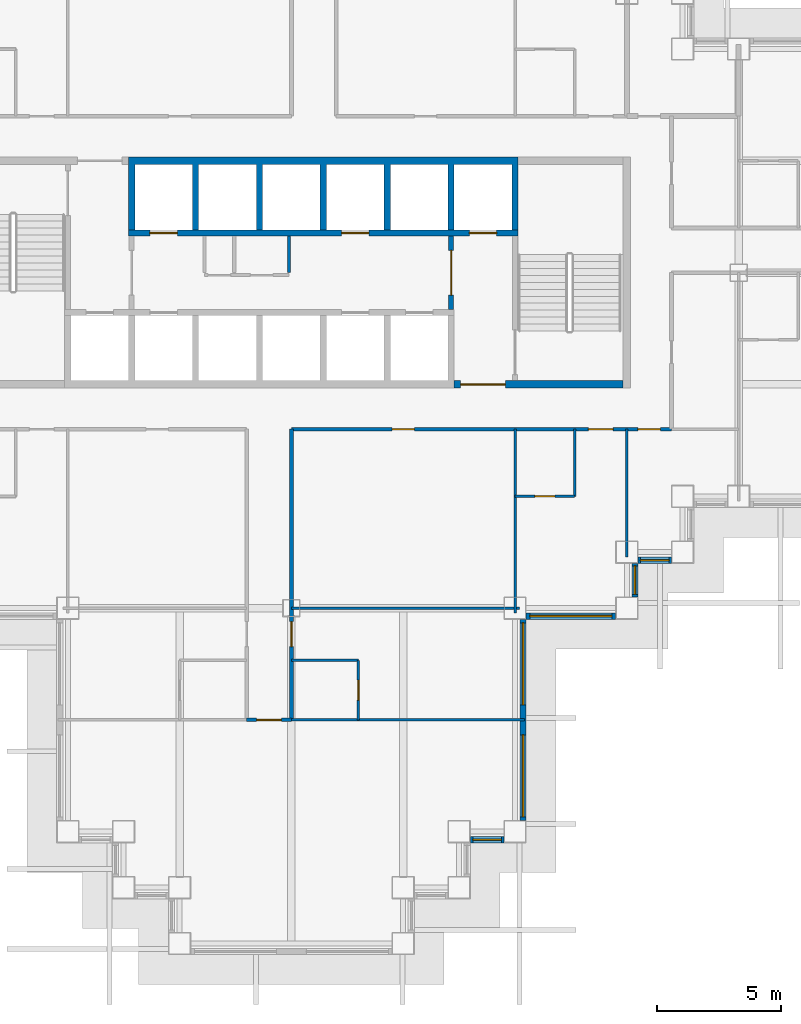
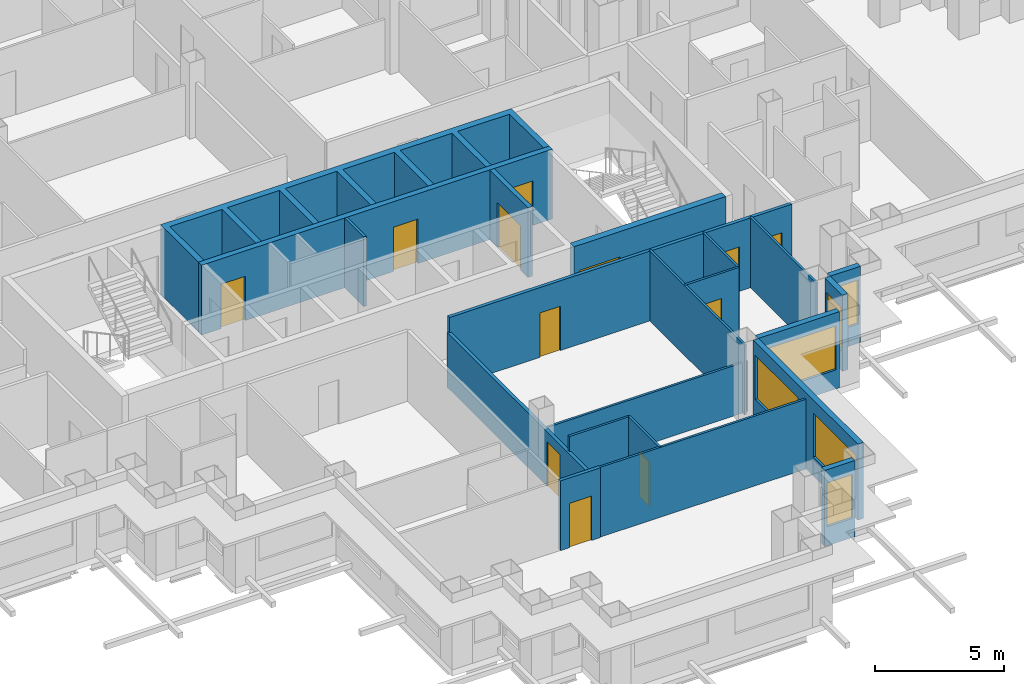
# One storey, part 5 of 15: 21 walls, 12 doors, 6 windows, 18 openings.
"""IFC4 building model written with IfcOpenShell, lengths in metres."""

import ifcopenshell
import ifcopenshell.guid

model = None  # the IFC model being written
_history = None  # IfcOwnerHistory: only IFC2X3 demands one
_inside = {}  # id of a spatial element -> (the spatial element, [elements in it])
_under = {}  # id of a project, library or spatial element -> (it, [spatial elements below it])
_declared = {}  # id of a project -> (the project, [libraries it declares])
_typed = {}  # id of a type object -> (the type object, [elements of that type])
_made_of = {}  # id of a material, layer set ... -> (it, [elements and type objects made of it])


def new_model(schema):
    """Start an empty IFC model of exactly this schema.

    Asked for "IFC4X3", IfcOpenShell would pick the latest addendum, in which some entities
    have other attributes; the version numbers below select the first issue.
    IFC2X3 requires an IfcOwnerHistory on every rooted entity: one is made here for all.
    """
    global model, _history
    if schema == "IFC4X3":
        model = ifcopenshell.file(schema_version=(4, 3, 0, 0))
    else:
        model = ifcopenshell.file(schema=schema)
    _inside.clear()
    _under.clear()
    _declared.clear()
    _typed.clear()
    _made_of.clear()
    _history = None
    if model.schema == "IFC2X3":
        org = make("IfcOrganization", Name="unknown")
        user = make(
            "IfcPersonAndOrganization",
            ThePerson=make("IfcPerson", FamilyName="unknown"),
            TheOrganization=org,
        )
        app = make(
            "IfcApplication",
            ApplicationDeveloper=org,
            Version="unknown",
            ApplicationFullName="unknown",
            ApplicationIdentifier="unknown",
        )
        _history = make(
            "IfcOwnerHistory",
            OwningUser=user,
            OwningApplication=app,
            ChangeAction="ADDED",
            CreationDate=0,
        )
    return model


def make(cls, **values):
    """One entity of the class cls with the attributes given. An attribute that is None is left unset."""
    return model.create_entity(
        cls, **{name: value for name, value in values.items() if value is not None}
    )


def rooted(cls, **values):
    """An entity with a GlobalId (a new one), such as an element, a storey or a relation."""
    return make(cls, GlobalId=ifcopenshell.guid.new(), OwnerHistory=_history, **values)


def si_unit(unit_type, name, prefix=None):
    """IfcSIUnit, for example si_unit("LENGTHUNIT", "METRE", prefix="MILLI")."""
    return make("IfcSIUnit", UnitType=unit_type, Prefix=prefix, Name=name)


def assignment(units):
    """IfcUnitAssignment: the units of a project."""
    return None if units is None else make("IfcUnitAssignment", Units=units)


def point(xyz):
    """IfcCartesianPoint."""
    return None if xyz is None else make("IfcCartesianPoint", Coordinates=xyz)


def direction(xyz):
    """IfcDirection."""
    return None if xyz is None else make("IfcDirection", DirectionRatios=xyz)


def frame(location, z_axis=None, x_axis=None):
    """IfcAxis2Placement3D, a coordinate frame: its origin and axes. An axis left out is left unset."""
    return make(
        "IfcAxis2Placement3D",
        Location=point(location),
        Axis=direction(z_axis),
        RefDirection=direction(x_axis),
    )


def frame_2d(location, x_axis=None):
    """IfcAxis2Placement2D, a coordinate frame in the plane: its origin and x axis."""
    return make(
        "IfcAxis2Placement2D", Location=point(location), RefDirection=direction(x_axis)
    )


def origin():
    """The frame at (0, 0, 0) with its axes left unset."""
    return frame((0.0, 0.0, 0.0))


def place(relative_to, where):
    """IfcLocalPlacement: puts the frame where relative to a parent placement (None: the world)."""
    return make(
        "IfcLocalPlacement", PlacementRelTo=relative_to, RelativePlacement=where
    )


def context(
    kind, dimensions, precision=None, world=None, true_north=None, identifier=None
):
    """IfcGeometricRepresentationContext, for example the 3D "Model" context."""
    return make(
        "IfcGeometricRepresentationContext",
        ContextIdentifier=identifier,
        ContextType=kind,
        CoordinateSpaceDimension=dimensions,
        Precision=precision,
        WorldCoordinateSystem=world,
        TrueNorth=true_north,
    )


def subcontext(parent, identifier, kind, view, scale=None):
    """IfcGeometricRepresentationSubContext, for example "Body" below "Model"."""
    return make(
        "IfcGeometricRepresentationSubContext",
        ContextIdentifier=identifier,
        ContextType=kind,
        ParentContext=parent,
        TargetScale=scale,
        TargetView=view,
    )


def project(units=None, contexts=None):
    """IfcProject with its units and contexts."""
    return rooted(
        "IfcProject",
        Name="project",
        RepresentationContexts=contexts,
        UnitsInContext=assignment(units),
    )


def spatial(cls, under=None, at=None, **own):
    """A site, building, storey or space (cls), placed at a placement, below another one or the project."""
    s = rooted(cls, ObjectPlacement=at, **own)
    if under is not None:
        _under.setdefault(under.id(), (under, []))[1].append(s)
    return s


def polyline(points):
    """IfcPolyline through the points."""
    return make("IfcPolyline", Points=[point(p) for p in points])


def profile(cls, at=None, kind="AREA", **sizes):
    """A parametric profile (cls). Its sizes go by their IFC names, for example OverallWidth=200.0."""
    return make(cls, ProfileType=kind, Position=at, **sizes)


def rectangle(**sizes):
    """IfcRectangleProfileDef."""
    return profile("IfcRectangleProfileDef", **sizes)


def outline(outer, holes=None, kind="AREA"):
    """IfcArbitraryClosedProfileDef: a profile drawn as a closed curve; with holes, ...WithVoids."""
    if holes is None:
        return make("IfcArbitraryClosedProfileDef", ProfileType=kind, OuterCurve=outer)
    return make(
        "IfcArbitraryProfileDefWithVoids",
        ProfileType=kind,
        OuterCurve=outer,
        InnerCurves=holes,
    )


def extrude(swept, where, along, depth):
    """IfcExtrudedAreaSolid: the profile swept, set in the frame where, extruded along a direction by depth."""
    return make(
        "IfcExtrudedAreaSolid",
        SweptArea=swept,
        Position=where,
        ExtrudedDirection=direction(along),
        Depth=depth,
    )


def shape(context_of_items, identifier, shape_type, items):
    """IfcShapeRepresentation: the items that make up one representation, for example the "Body"."""
    return make(
        "IfcShapeRepresentation",
        ContextOfItems=context_of_items,
        RepresentationIdentifier=identifier,
        RepresentationType=shape_type,
        Items=items,
    )


def material(Name=None, Category=None):
    """IfcMaterial."""
    return make("IfcMaterial", Name=Name, Category=Category)


def layer(
    of_material, thickness, ventilated=None, Name=None, Category=None, Priority=None
):
    """IfcMaterialLayer: one layer of a wall or slab, of a material (None: an air gap)."""
    return make(
        "IfcMaterialLayer",
        Material=of_material,
        LayerThickness=thickness,
        IsVentilated=ventilated,
        Name=Name,
        Category=Category,
        Priority=Priority,
    )


def layer_set(layers, Name=None):
    """IfcMaterialLayerSet."""
    return make("IfcMaterialLayerSet", MaterialLayers=layers, LayerSetName=Name)


def made_of(thing, what):
    """Note that an element or type object is made of a material, layer set ...; save() writes the relation."""
    if what is not None:
        _made_of.setdefault(what.id(), (what, []))[1].append(thing)
    return thing


def type_object(cls, material=None, **own):
    """A type object (cls), such as IfcWallType, which elements share."""
    return made_of(rooted(cls, **own), material)


def element(
    cls,
    number,
    at=None,
    inside=None,
    cuts=None,
    type_object=None,
    material=None,
    context=None,
    identifier="Body",
    shape_type=None,
    held_by="IfcProductDefinitionShape",
    body=None,
    shapes=None,
    **own,
):
    """One element of the class cls, such as IfcWall. Its Tag is "e" and its number.

    at: its placement. inside: the storey or other place that contains it. cuts: it is an
    opening in that element (IfcRelVoidsElement). A single representation is given by context,
    identifier, shape_type and body (its items); several are given by shapes. held_by: the class
    of the entity that holds the representations. save() writes the other relations.
    """
    e = rooted(cls, Tag="e%d" % number, ObjectPlacement=at, **own)
    if body is not None:
        shapes = [shape(context, identifier, shape_type, body)]
    if shapes is not None:
        e.Representation = make(held_by, Representations=shapes)
    if inside is not None:
        _inside.setdefault(inside.id(), (inside, []))[1].append(e)
    if cuts is not None:
        rooted(
            "IfcRelVoidsElement", RelatingBuildingElement=cuts, RelatedOpeningElement=e
        )
    if type_object is not None:
        _typed.setdefault(type_object.id(), (type_object, []))[1].append(e)
    return made_of(e, material)


def fill(opening, filler):
    """IfcRelFillsElement: the door or window that sits in an opening."""
    return rooted(
        "IfcRelFillsElement",
        RelatingOpeningElement=opening,
        RelatedBuildingElement=filler,
    )


def aggregate(whole, parts):
    """IfcRelAggregates: a whole, such as a stair, and the parts it consists of."""
    return rooted("IfcRelAggregates", RelatingObject=whole, RelatedObjects=parts)


def save(model, path):
    """Write the relations noted so far, then the file.

    IfcRelAggregates (storeys below a building ...), IfcRelContainedInSpatialStructure (elements
    in a storey), IfcRelDefinesByType, IfcRelAssociatesMaterial and IfcRelDeclares: one each for
    every whole, place, type object, material and project.
    """
    for whole, parts in _under.values():
        aggregate(whole, parts)
    for where, things in _inside.values():
        rooted(
            "IfcRelContainedInSpatialStructure",
            RelatedElements=things,
            RelatingStructure=where,
        )
    for kind, things in _typed.values():
        rooted("IfcRelDefinesByType", RelatedObjects=things, RelatingType=kind)
    for what, things in _made_of.values():
        rooted("IfcRelAssociatesMaterial", RelatedObjects=things, RelatingMaterial=what)
    for by, libraries in _declared.values():
        rooted("IfcRelDeclares", RelatingContext=by, RelatedDefinitions=libraries)
    model.write(path)


model = new_model("IFC4")

# Units and contexts
model_context = context("Model", 3, precision=1e-05, world=origin(), true_north=direction((0.0, 1.0)))
body_context = subcontext(model_context, "Body", "Model", "MODEL_VIEW")
ifc_project = project(units=[si_unit("LENGTHUNIT", "METRE"), si_unit("AREAUNIT", "SQUARE_METRE"), si_unit("VOLUMEUNIT", "CUBIC_METRE"), si_unit("PLANEANGLEUNIT", "RADIAN"), si_unit("MASSUNIT", "GRAM", prefix="KILO")], contexts=[model_context])

# Site, building, storey
site_placement = place(None, origin())
site = spatial("IfcSite", under=ifc_project, at=site_placement, CompositionType="ELEMENT")
building_placement = place(site_placement, origin())
building = spatial("IfcBuilding", under=site, at=building_placement, Name="Caravel Reach Hotel and Residences", CompositionType="ELEMENT")
storey_placement = place(building_placement, frame((0.0, 0.0, 111.60009765625)))
storey = spatial("IfcBuildingStorey", under=building, at=storey_placement, Name="L27", CompositionType="ELEMENT", Elevation=111.60009765625)

# Wall
ifc_material_1 = material(Name="Gypsum board on steel stud", Category="steel")
ifc_layer_1 = layer(ifc_material_1, 0.10009765625)
ifc_layer_set_1 = layer_set([ifc_layer_1], Name="Bathroom pod wall 100 mm")
wall_type_1 = type_object("IfcWallType", Name="Bathroom pod wall 100 mm", PredefinedType="PARTITIONING", material=ifc_layer_set_1)
wall_1_placement = place(storey_placement, frame((31.5, 11.39990234375, 0.0), z_axis=(0.0, 0.0, 1.0), x_axis=(1.0, 0.0, 0.0)))
element("IfcWall", 1, at=wall_1_placement, inside=storey, type_object=wall_type_1, Name="L27 wall w067", PredefinedType="PARTITIONING", context=body_context, shape_type="SweptSolid", body=[
    extrude(rectangle(XDim=2.699951171875, YDim=0.10009765625, at=frame_2d((1.35009765625, 0.0))), origin(), (0.0, 0.0, 1.0), 3.2998046875),
])

# Wall, opening, door
wall_2_placement = place(storey_placement, frame((40.5, 18.0, 0.0), z_axis=(0.0, 0.0, 1.0), x_axis=(1.0, 0.0, 0.0)))
wall_2 = element("IfcWall", 2, at=wall_2_placement, inside=storey, type_object=wall_type_1, Name="L27 wall w070", PredefinedType="PARTITIONING", context=body_context, shape_type="SweptSolid", body=[
    extrude(rectangle(XDim=2.39990234375, YDim=0.10009765625, at=frame_2d((1.199951171875, 0.0))), origin(), (0.0, 0.0, 1.0), 3.2998046875),
])
opening_1_placement = place(wall_2_placement, frame((0.800048828125, 0.0, 0.0)))
opening_1 = element("IfcOpeningElement", 3, at=opening_1_placement, cuts=wall_2, Name="Opening D27-048", PredefinedType="OPENING", context=body_context, shape_type="SweptSolid", body=[
    extrude(rectangle(XDim=0.800048828125, YDim=2.10009765625, at=frame_2d((0.39990234375, 1.050048828125))), frame((0.0, 0.06005859375, 0.0), z_axis=(0.0, -1.0, 0.0), x_axis=(1.0, 0.0, 0.0)), (0.0, 0.0, 1.0), 0.1201171875),
])
ifc_material_2 = material(Name="Timber and steel door leaf", Category="steel")
door_type_1 = type_object("IfcDoorType", Name="Bathroom door 800 x 2100", OperationType="SINGLE_SWING_LEFT", PredefinedType="DOOR", material=ifc_material_2)
door_1_placement = place(opening_1_placement, origin())
door_1 = element("IfcDoor", 4, at=door_1_placement, inside=storey, type_object=door_type_1, Name="door D27-048", OperationType="SINGLE_SWING_LEFT", OverallHeight=2.10009765625, OverallWidth=0.800048828125, PredefinedType="DOOR", context=body_context, shape_type="SweptSolid", body=[
    extrude(rectangle(XDim=0.800048828125, YDim=2.10009765625, at=frame_2d((0.39990234375, 1.050048828125))), frame((0.0, 0.02490234375, 0.0), z_axis=(0.0, -1.0, 0.0), x_axis=(1.0, 0.0, 0.0)), (0.0, 0.0, 1.0), 0.050048828125),
])
fill(opening_1, door_1)

wall_3_placement = place(storey_placement, frame((34.199951171875, 9.0, 0.0), z_axis=(0.0, 0.0, 1.0), x_axis=(0.0, 1.0, 0.0)))
wall_3 = element("IfcWall", 5, at=wall_3_placement, inside=storey, type_object=wall_type_1, Name="L27 wall w087", PredefinedType="PARTITIONING", context=body_context, shape_type="SweptSolid", body=[
    extrude(rectangle(XDim=2.39990234375, YDim=0.10009765625, at=frame_2d((1.199951171875, 0.0))), origin(), (0.0, 0.0, 1.0), 3.2998046875),
])
opening_2_placement = place(wall_3_placement, frame((0.800048828125, 0.0, 0.0)))
opening_2 = element("IfcOpeningElement", 6, at=opening_2_placement, cuts=wall_3, Name="Opening D27-034", PredefinedType="OPENING", context=body_context, shape_type="SweptSolid", body=[
    extrude(rectangle(XDim=0.800048828125, YDim=2.10009765625, at=frame_2d((0.39990234375, 1.050048828125))), frame((0.0, 0.06005859375, 0.0), z_axis=(0.0, -1.0, 0.0), x_axis=(1.0, 0.0, 0.0)), (0.0, 0.0, 1.0), 0.1201171875),
])
door_2_placement = place(opening_2_placement, origin())
door_2 = element("IfcDoor", 7, at=door_2_placement, inside=storey, type_object=door_type_1, Name="door D27-034", OperationType="SINGLE_SWING_RIGHT", OverallHeight=2.10009765625, OverallWidth=0.800048828125, PredefinedType="DOOR", context=body_context, shape_type="SweptSolid", body=[
    extrude(rectangle(XDim=0.800048828125, YDim=2.10009765625, at=frame_2d((0.39990234375, 1.050048828125))), frame((0.0, 0.02490234375, 0.0), z_axis=(0.0, -1.0, 0.0), x_axis=(1.0, 0.0, 0.0)), (0.0, 0.0, 1.0), 0.050048828125),
])
fill(opening_2, door_2)

# Wall
wall_4_placement = place(storey_placement, frame((42.89990234375, 18.0, 0.0), z_axis=(0.0, 0.0, 1.0), x_axis=(0.0, 1.0, 0.0)))
element("IfcWall", 8, at=wall_4_placement, inside=storey, type_object=wall_type_1, Name="L27 wall w091", PredefinedType="PARTITIONING", context=body_context, shape_type="SweptSolid", body=[
    extrude(rectangle(XDim=2.699951171875, YDim=0.10009765625, at=frame_2d((1.35009765625, 0.0))), origin(), (0.0, 0.0, 1.0), 3.2998046875),
])

# Wall, opening, door
ifc_material_3 = material(Name="Concrete C60", Category="concrete")
ifc_layer_2 = layer(ifc_material_3, 0.300048828125)
ifc_layer_set_2 = layer_set([ifc_layer_2], Name="Core wall 300 mm EI 120")
wall_type_2 = type_object("IfcWallType", Name="Core wall 300 mm EI 120", PredefinedType="SHEAR", material=ifc_layer_set_2)
wall_5_placement = place(storey_placement, frame((38.053466796875, 22.5, 0.0), z_axis=(0.0, 0.0, 1.0), x_axis=(1.0, 0.0, 0.0)))
wall_5 = element("IfcWall", 9, at=wall_5_placement, inside=storey, type_object=wall_type_2, Name="L27 core wall S2", PredefinedType="SHEAR", context=body_context, shape_type="SweptSolid", body=[
    extrude(rectangle(XDim=6.796630859375, YDim=0.300048828125, at=frame_2d((3.3984375, 0.0))), origin(), (0.0, 0.0, 1.0), 3.2998046875),
])
opening_3_placement = place(wall_5_placement, frame((0.2607421875, 0.0, 0.0)))
opening_3 = element("IfcOpeningElement", 10, at=opening_3_placement, cuts=wall_5, Name="Opening D27-015", PredefinedType="OPENING", context=body_context, shape_type="SweptSolid", body=[
    extrude(rectangle(XDim=1.800048828125, YDim=2.10009765625, at=frame_2d((0.89990234375, 1.050048828125))), frame((0.0, 0.159912109375, 0.0), z_axis=(0.0, -1.0, 0.0), x_axis=(1.0, 0.0, 0.0)), (0.0, 0.0, 1.0), 0.320068359375),
])
ifc_material_4 = material(Name="Steel fire door leaf", Category="steel")
door_type_2 = type_object("IfcDoorType", Name="Fire lobby door pair 1800 x 2100 EI 90", OperationType="DOUBLE_DOOR_SINGLE_SWING", PredefinedType="DOOR", material=ifc_material_4)
door_3_placement = place(opening_3_placement, origin())
door_3 = element("IfcDoor", 11, at=door_3_placement, inside=storey, type_object=door_type_2, Name="lobby S door pair to corridor", OperationType="DOUBLE_DOOR_SINGLE_SWING", OverallHeight=2.10009765625, OverallWidth=1.800048828125, PredefinedType="DOOR", context=body_context, shape_type="SweptSolid", body=[
    extrude(rectangle(XDim=1.800048828125, YDim=2.10009765625, at=frame_2d((0.89990234375, 1.050048828125))), frame((0.0, 0.02490234375, 0.0), z_axis=(0.0, -1.0, 0.0), x_axis=(1.0, 0.0, 0.0)), (0.0, 0.0, 1.0), 0.050048828125),
])
fill(opening_3, door_3)

# Wall, openings, doors
ifc_material_5 = material(Name="Gypsum board on steel stud, fire-rated", Category="steel")
ifc_layer_3 = layer(ifc_material_5, 0.14990234375)
ifc_layer_set_3 = layer_set([ifc_layer_3], Name="Corridor wall 150 mm EI 60")
wall_type_3 = type_object("IfcWallType", Name="Corridor wall 150 mm EI 60", PredefinedType="PARTITIONING", material=ifc_layer_set_3)
wall_6_placement = place(storey_placement, frame((31.5, 20.699951171875, 0.0), z_axis=(0.0, 0.0, 1.0), x_axis=(1.0, 0.0, 0.0)))
wall_6 = element("IfcWall", 12, at=wall_6_placement, inside=storey, type_object=wall_type_3, Name="L27 wall w004", PredefinedType="PARTITIONING", context=body_context, shape_type="SweptSolid", body=[
    extrude(rectangle(XDim=15.300048828125, YDim=0.14990234375, at=frame_2d((7.64990234375, 0.0))), origin(), (0.0, 0.0, 1.0), 3.2998046875),
])
opening_4_placement = place(wall_6_placement, frame((11.949951171875, 0.0, 0.0)))
opening_4 = element("IfcOpeningElement", 13, at=opening_4_placement, cuts=wall_6, Name="Opening D27-047", PredefinedType="OPENING", context=body_context, shape_type="SweptSolid", body=[
    extrude(rectangle(XDim=1.0, YDim=2.10009765625, at=frame_2d((0.5, 1.050048828125))), frame((0.0, 0.0849609375, 0.0), z_axis=(0.0, -1.0, 0.0), x_axis=(1.0, 0.0, 0.0)), (0.0, 0.0, 1.0), 0.169921875),
])
opening_5_placement = place(wall_6_placement, frame((13.949951171875, 0.0, 0.0)))
opening_5 = element("IfcOpeningElement", 14, at=opening_5_placement, cuts=wall_6, Name="Opening D27-049", PredefinedType="OPENING", context=body_context, shape_type="SweptSolid", body=[
    extrude(rectangle(XDim=0.89990234375, YDim=2.10009765625, at=frame_2d((0.449951171875, 1.050048828125))), frame((0.0, 0.0849609375, 0.0), z_axis=(0.0, -1.0, 0.0), x_axis=(1.0, 0.0, 0.0)), (0.0, 0.0, 1.0), 0.169921875),
])
opening_6_placement = place(wall_6_placement, frame((4.050048828125, 0.0, 0.0)))
opening_6 = element("IfcOpeningElement", 15, at=opening_6_placement, cuts=wall_6, Name="Opening D27-053", PredefinedType="OPENING", context=body_context, shape_type="SweptSolid", body=[
    extrude(rectangle(XDim=0.89990234375, YDim=2.10009765625, at=frame_2d((0.449951171875, 1.050048828125))), frame((0.0, 0.0849609375, 0.0), z_axis=(0.0, -1.0, 0.0), x_axis=(1.0, 0.0, 0.0)), (0.0, 0.0, 1.0), 0.169921875),
])
ifc_material_6 = material(Name="Timber and steel door leaf", Category="steel")
door_type_3 = type_object("IfcDoorType", Name="Door 900 x 2100 timber", OperationType="SINGLE_SWING_LEFT", PredefinedType="DOOR", material=ifc_material_6)
door_4_placement = place(opening_5_placement, origin())
door_4 = element("IfcDoor", 16, at=door_4_placement, inside=storey, type_object=door_type_3, Name="door D27-049", OperationType="SINGLE_SWING_RIGHT", OverallHeight=2.10009765625, OverallWidth=0.89990234375, PredefinedType="DOOR", context=body_context, shape_type="SweptSolid", body=[
    extrude(rectangle(XDim=0.89990234375, YDim=2.10009765625, at=frame_2d((0.449951171875, 1.050048828125))), frame((0.0, 0.02490234375, 0.0), z_axis=(0.0, -1.0, 0.0), x_axis=(1.0, 0.0, 0.0)), (0.0, 0.0, 1.0), 0.050048828125),
])
fill(opening_5, door_4)
door_5_placement = place(opening_6_placement, origin())
door_5 = element("IfcDoor", 17, at=door_5_placement, inside=storey, type_object=door_type_3, Name="door D27-053", OperationType="SINGLE_SWING_RIGHT", OverallHeight=2.10009765625, OverallWidth=0.89990234375, PredefinedType="DOOR", context=body_context, shape_type="SweptSolid", body=[
    extrude(rectangle(XDim=0.89990234375, YDim=2.10009765625, at=frame_2d((0.449951171875, 1.050048828125))), frame((0.0, 0.02490234375, 0.0), z_axis=(0.0, -1.0, 0.0), x_axis=(1.0, 0.0, 0.0)), (0.0, 0.0, 1.0), 0.050048828125),
])
fill(opening_6, door_5)
ifc_material_7 = material(Name="Steel fire door leaf", Category="steel")
door_type_4 = type_object("IfcDoorType", Name="Guest room door 1000 x 2100 EI 30", OperationType="SINGLE_SWING_LEFT", PredefinedType="DOOR", material=ifc_material_7)
door_6_placement = place(opening_4_placement, origin())
door_6 = element("IfcDoor", 18, at=door_6_placement, inside=storey, type_object=door_type_4, Name="door D27-047", OperationType="SINGLE_SWING_RIGHT", OverallHeight=2.10009765625, OverallWidth=1.0, PredefinedType="DOOR", context=body_context, shape_type="SweptSolid", body=[
    extrude(rectangle(XDim=1.0, YDim=2.10009765625, at=frame_2d((0.5, 1.050048828125))), frame((0.0, 0.02490234375, 0.0), z_axis=(0.0, -1.0, 0.0), x_axis=(1.0, 0.0, 0.0)), (0.0, 0.0, 1.0), 0.050048828125),
])
fill(opening_4, door_6)

# Wall, opening, door
wall_7_placement = place(storey_placement, frame((29.699951171875, 9.0, 0.0), z_axis=(0.0, 0.0, 1.0), x_axis=(1.0, 0.0, 0.0)))
wall_7 = element("IfcWall", 19, at=wall_7_placement, inside=storey, type_object=wall_type_3, Name="L27 wall w020", PredefinedType="PARTITIONING", context=body_context, shape_type="SweptSolid", body=[
    extrude(rectangle(XDim=1.800048828125, YDim=0.14990234375, at=frame_2d((0.89990234375, 0.0))), origin(), (0.0, 0.0, 1.0), 3.2998046875),
])
opening_7_placement = place(wall_7_placement, frame((0.39990234375, 0.0, 0.0)))
opening_7 = element("IfcOpeningElement", 20, at=opening_7_placement, cuts=wall_7, Name="Opening D27-038", PredefinedType="OPENING", context=body_context, shape_type="SweptSolid", body=[
    extrude(rectangle(XDim=1.0, YDim=2.10009765625, at=frame_2d((0.5, 1.050048828125))), frame((0.0, 0.0849609375, 0.0), z_axis=(0.0, -1.0, 0.0), x_axis=(1.0, 0.0, 0.0)), (0.0, 0.0, 1.0), 0.169921875),
])
door_7_placement = place(opening_7_placement, origin())
door_7 = element("IfcDoor", 21, at=door_7_placement, inside=storey, type_object=door_type_4, Name="door D27-038", OperationType="SINGLE_SWING_RIGHT", OverallHeight=2.10009765625, OverallWidth=1.0, PredefinedType="DOOR", context=body_context, shape_type="SweptSolid", body=[
    extrude(rectangle(XDim=1.0, YDim=2.10009765625, at=frame_2d((0.5, 1.050048828125))), frame((0.0, 0.02490234375, 0.0), z_axis=(0.0, -1.0, 0.0), x_axis=(1.0, 0.0, 0.0)), (0.0, 0.0, 1.0), 0.050048828125),
])
fill(opening_7, door_7)

wall_8_placement = place(storey_placement, frame((31.5, 9.0, 0.0), z_axis=(0.0, 0.0, 1.0), x_axis=(0.0, 1.0, 0.0)))
wall_8 = element("IfcWall", 22, at=wall_8_placement, inside=storey, type_object=wall_type_3, Name="L27 wall w025", PredefinedType="PARTITIONING", context=body_context, shape_type="SweptSolid", body=[
    extrude(rectangle(XDim=11.699951171875, YDim=0.14990234375, at=frame_2d((5.85009765625, 0.0))), origin(), (0.0, 0.0, 1.0), 2.579833984375),
])
opening_8_placement = place(wall_8_placement, frame((2.949951171875, 0.0, 0.0)))
opening_8 = element("IfcOpeningElement", 23, at=opening_8_placement, cuts=wall_8, Name="Opening D27-033", PredefinedType="OPENING", context=body_context, shape_type="SweptSolid", body=[
    extrude(rectangle(XDim=1.0, YDim=2.10009765625, at=frame_2d((0.5, 1.050048828125))), frame((0.0, 0.0849609375, 0.0), z_axis=(0.0, -1.0, 0.0), x_axis=(1.0, 0.0, 0.0)), (0.0, 0.0, 1.0), 0.169921875),
])
door_8_placement = place(opening_8_placement, origin())
door_8 = element("IfcDoor", 24, at=door_8_placement, inside=storey, type_object=door_type_4, Name="door D27-033", OperationType="SINGLE_SWING_RIGHT", OverallHeight=2.10009765625, OverallWidth=1.0, PredefinedType="DOOR", context=body_context, shape_type="SweptSolid", body=[
    extrude(rectangle(XDim=1.0, YDim=2.10009765625, at=frame_2d((0.5, 1.050048828125))), frame((0.0, 0.02490234375, 0.0), z_axis=(0.0, -1.0, 0.0), x_axis=(1.0, 0.0, 0.0)), (0.0, 0.0, 1.0), 0.050048828125),
])
fill(opening_8, door_8)

# Wall, opening, window
ifc_material_8 = material(Name="Insulated rainscreen wall, aluminium cladding", Category="aluminium")
ifc_layer_4 = layer(ifc_material_8, 0.25)
ifc_layer_set_4 = layer_set([ifc_layer_4], Name="EW1 Tower rainscreen wall")
wall_type_4 = type_object("IfcWallType", Name="EW1 Tower rainscreen wall", PredefinedType="SOLIDWALL", material=ifc_layer_set_4)
wall_9_placement = place(storey_placement, frame((38.699951171875, 4.175048828125, 0.0), z_axis=(0.0, 0.0, 1.0), x_axis=(1.0, 0.0, 0.0)))
wall_9 = element("IfcWall", 25, at=wall_9_placement, inside=storey, type_object=wall_type_4, Name="External wall L27 S9.1", PredefinedType="SOLIDWALL", context=body_context, shape_type="SweptSolid", body=[
    extrude(rectangle(XDim=1.35009765625, YDim=0.25, at=frame_2d((0.675048828125, 0.0))), origin(), (0.0, 0.0, 1.0), 3.599853515625),
])
opening_9_placement = place(wall_9_placement, frame((0.10009765625, 0.0, 0.89990234375)))
opening_9 = element("IfcOpeningElement", 26, at=opening_9_placement, cuts=wall_9, Name="Opening WN8", PredefinedType="OPENING", context=body_context, shape_type="SweptSolid", body=[
    extrude(rectangle(XDim=1.14990234375, YDim=2.080078125, at=frame_2d((0.574951171875, 1.0400390625))), frame((0.0, 0.135009765625, 0.0), z_axis=(0.0, -1.0, 0.0), x_axis=(1.0, 0.0, 0.0)), (0.0, 0.0, 1.0), 0.27001953125),
])
ifc_material_9 = material(Name="Dark low-e glazing in black aluminium frame", Category="aluminium")
window_type_1 = type_object("IfcWindowType", Name="Hotel suite corner window 1150 x 2080", PartitioningType="SINGLE_PANEL", PredefinedType="WINDOW", material=ifc_material_9)
window_1_placement = place(opening_9_placement, origin())
window_1 = element("IfcWindow", 27, at=window_1_placement, inside=storey, type_object=window_type_1, Name="Window L27 S9.1.1", OverallHeight=2.080078125, OverallWidth=1.14990234375, PartitioningType="SINGLE_PANEL", PredefinedType="WINDOW", context=body_context, shape_type="SweptSolid", body=[
    extrude(rectangle(XDim=1.14990234375, YDim=2.080078125, at=frame_2d((0.574951171875, 1.0400390625))), frame((0.0, 0.030029296875, 0.0), z_axis=(0.0, -1.0, 0.0), x_axis=(1.0, 0.0, 0.0)), (0.0, 0.0, 1.0), 0.06005859375),
])
fill(opening_9, window_1)

# Wall, openings, windows
wall_10_placement = place(storey_placement, frame((40.824951171875, 4.949951171875, 0.0), z_axis=(0.0, 0.0, 1.0), x_axis=(0.0, 1.0, 0.0)))
wall_10 = element("IfcWall", 28, at=wall_10_placement, inside=storey, type_object=wall_type_4, Name="External wall L27 E10.1", PredefinedType="SOLIDWALL", context=body_context, shape_type="SweptSolid", body=[
    extrude(rectangle(XDim=8.10009765625, YDim=0.25, at=frame_2d((4.050048828125, 0.0))), origin(), (0.0, 0.0, 1.0), 3.599853515625),
])
opening_10_placement = place(wall_10_placement, frame((0.14990234375, 0.0, 0.89990234375)))
opening_10 = element("IfcOpeningElement", 29, at=opening_10_placement, cuts=wall_10, Name="Opening WN4", PredefinedType="OPENING", context=body_context, shape_type="SweptSolid", body=[
    extrude(rectangle(XDim=3.300048828125, YDim=2.080078125, at=frame_2d((1.64990234375, 1.0400390625))), frame((0.0, 0.135009765625, 0.0), z_axis=(0.0, -1.0, 0.0), x_axis=(1.0, 0.0, 0.0)), (0.0, 0.0, 1.0), 0.27001953125),
])
opening_11_placement = place(wall_10_placement, frame((4.64990234375, 0.0, 0.89990234375)))
opening_11 = element("IfcOpeningElement", 30, at=opening_11_placement, cuts=wall_10, Name="Opening WN4", PredefinedType="OPENING", context=body_context, shape_type="SweptSolid", body=[
    extrude(rectangle(XDim=3.300048828125, YDim=2.080078125, at=frame_2d((1.64990234375, 1.0400390625))), frame((0.0, 0.135009765625, 0.0), z_axis=(0.0, -1.0, 0.0), x_axis=(1.0, 0.0, 0.0)), (0.0, 0.0, 1.0), 0.27001953125),
])
ifc_material_10 = material(Name="Dark low-e glazing in black aluminium frame", Category="aluminium")
window_type_2 = type_object("IfcWindowType", Name="Hotel guest room window 3300 x 2080", PartitioningType="SINGLE_PANEL", PredefinedType="WINDOW", material=ifc_material_10)
window_2_placement = place(opening_10_placement, origin())
window_2 = element("IfcWindow", 31, at=window_2_placement, inside=storey, type_object=window_type_2, Name="Window L27 E10.1.1", OverallHeight=2.080078125, OverallWidth=3.300048828125, PartitioningType="SINGLE_PANEL", PredefinedType="WINDOW", context=body_context, shape_type="SweptSolid", body=[
    extrude(rectangle(XDim=3.300048828125, YDim=2.080078125, at=frame_2d((1.64990234375, 1.0400390625))), frame((0.0, 0.030029296875, 0.0), z_axis=(0.0, -1.0, 0.0), x_axis=(1.0, 0.0, 0.0)), (0.0, 0.0, 1.0), 0.06005859375),
])
fill(opening_10, window_2)
window_3_placement = place(opening_11_placement, origin())
window_3 = element("IfcWindow", 32, at=window_3_placement, inside=storey, type_object=window_type_2, Name="Window L27 E10.1.2", OverallHeight=2.080078125, OverallWidth=3.300048828125, PartitioningType="SINGLE_PANEL", PredefinedType="WINDOW", context=body_context, shape_type="SweptSolid", body=[
    extrude(rectangle(XDim=3.300048828125, YDim=2.080078125, at=frame_2d((1.64990234375, 1.0400390625))), frame((0.0, 0.030029296875, 0.0), z_axis=(0.0, -1.0, 0.0), x_axis=(1.0, 0.0, 0.0)), (0.0, 0.0, 1.0), 0.06005859375),
])
fill(opening_11, window_3)

# Wall, opening, window
wall_11_placement = place(storey_placement, frame((40.949951171875, 13.175048828125, 0.0), z_axis=(0.0, 0.0, 1.0), x_axis=(1.0, 0.0, 0.0)))
wall_11 = element("IfcWall", 33, at=wall_11_placement, inside=storey, type_object=wall_type_4, Name="External wall L27 S11.1", PredefinedType="SOLIDWALL", context=body_context, shape_type="SweptSolid", body=[
    extrude(rectangle(XDim=3.60009765625, YDim=0.25, at=frame_2d((1.800048828125, 0.0))), origin(), (0.0, 0.0, 1.0), 3.599853515625),
])
opening_12_placement = place(wall_11_placement, frame((0.14990234375, 0.0, 0.89990234375)))
opening_12 = element("IfcOpeningElement", 34, at=opening_12_placement, cuts=wall_11, Name="Opening WN4", PredefinedType="OPENING", context=body_context, shape_type="SweptSolid", body=[
    extrude(rectangle(XDim=3.300048828125, YDim=2.080078125, at=frame_2d((1.64990234375, 1.0400390625))), frame((0.0, 0.135009765625, 0.0), z_axis=(0.0, -1.0, 0.0), x_axis=(1.0, 0.0, 0.0)), (0.0, 0.0, 1.0), 0.27001953125),
])
window_4_placement = place(opening_12_placement, origin())
window_4 = element("IfcWindow", 35, at=window_4_placement, inside=storey, type_object=window_type_2, Name="Window L27 S11.1.1", OverallHeight=2.080078125, OverallWidth=3.300048828125, PartitioningType="SINGLE_PANEL", PredefinedType="WINDOW", context=body_context, shape_type="SweptSolid", body=[
    extrude(rectangle(XDim=3.300048828125, YDim=2.080078125, at=frame_2d((1.64990234375, 1.0400390625))), frame((0.0, 0.030029296875, 0.0), z_axis=(0.0, -1.0, 0.0), x_axis=(1.0, 0.0, 0.0)), (0.0, 0.0, 1.0), 0.06005859375),
])
fill(opening_12, window_4)

wall_12_placement = place(storey_placement, frame((45.324951171875, 13.949951171875, 0.0), z_axis=(0.0, 0.0, 1.0), x_axis=(0.0, 1.0, 0.0)))
wall_12 = element("IfcWall", 36, at=wall_12_placement, inside=storey, type_object=wall_type_4, Name="External wall L27 E12.1", PredefinedType="SOLIDWALL", context=body_context, shape_type="SweptSolid", body=[
    extrude(rectangle(XDim=1.35009765625, YDim=0.25, at=frame_2d((0.675048828125, 0.0))), origin(), (0.0, 0.0, 1.0), 3.599853515625),
])
opening_13_placement = place(wall_12_placement, frame((0.10009765625, 0.0, 0.89990234375)))
opening_13 = element("IfcOpeningElement", 37, at=opening_13_placement, cuts=wall_12, Name="Opening WN8", PredefinedType="OPENING", context=body_context, shape_type="SweptSolid", body=[
    extrude(rectangle(XDim=1.14990234375, YDim=2.080078125, at=frame_2d((0.574951171875, 1.0400390625))), frame((0.0, 0.135009765625, 0.0), z_axis=(0.0, -1.0, 0.0), x_axis=(1.0, 0.0, 0.0)), (0.0, 0.0, 1.0), 0.27001953125),
])
window_5_placement = place(opening_13_placement, origin())
window_5 = element("IfcWindow", 38, at=window_5_placement, inside=storey, type_object=window_type_1, Name="Window L27 E12.1.1", OverallHeight=2.080078125, OverallWidth=1.14990234375, PartitioningType="SINGLE_PANEL", PredefinedType="WINDOW", context=body_context, shape_type="SweptSolid", body=[
    extrude(rectangle(XDim=1.14990234375, YDim=2.080078125, at=frame_2d((0.574951171875, 1.0400390625))), frame((0.0, 0.030029296875, 0.0), z_axis=(0.0, -1.0, 0.0), x_axis=(1.0, 0.0, 0.0)), (0.0, 0.0, 1.0), 0.06005859375),
])
fill(opening_13, window_5)

wall_13_placement = place(storey_placement, frame((45.449951171875, 15.425048828125, 0.0), z_axis=(0.0, 0.0, 1.0), x_axis=(1.0, 0.0, 0.0)))
wall_13 = element("IfcWall", 39, at=wall_13_placement, inside=storey, type_object=wall_type_4, Name="External wall L27 S13.1", PredefinedType="SOLIDWALL", context=body_context, shape_type="SweptSolid", body=[
    extrude(rectangle(XDim=1.35009765625, YDim=0.25, at=frame_2d((0.675048828125, 0.0))), origin(), (0.0, 0.0, 1.0), 3.599853515625),
])
opening_14_placement = place(wall_13_placement, frame((0.10009765625, 0.0, 0.89990234375)))
opening_14 = element("IfcOpeningElement", 40, at=opening_14_placement, cuts=wall_13, Name="Opening WN8", PredefinedType="OPENING", context=body_context, shape_type="SweptSolid", body=[
    extrude(rectangle(XDim=1.14990234375, YDim=2.080078125, at=frame_2d((0.574951171875, 1.0400390625))), frame((0.0, 0.135009765625, 0.0), z_axis=(0.0, -1.0, 0.0), x_axis=(1.0, 0.0, 0.0)), (0.0, 0.0, 1.0), 0.27001953125),
])
window_6_placement = place(opening_14_placement, origin())
window_6 = element("IfcWindow", 41, at=window_6_placement, inside=storey, type_object=window_type_1, Name="Window L27 S13.1.1", OverallHeight=2.080078125, OverallWidth=1.14990234375, PartitioningType="SINGLE_PANEL", PredefinedType="WINDOW", context=body_context, shape_type="SweptSolid", body=[
    extrude(rectangle(XDim=1.14990234375, YDim=2.080078125, at=frame_2d((0.574951171875, 1.0400390625))), frame((0.0, 0.030029296875, 0.0), z_axis=(0.0, -1.0, 0.0), x_axis=(1.0, 0.0, 0.0)), (0.0, 0.0, 1.0), 0.06005859375),
])
fill(opening_14, window_6)

# Wall, opening, door
ifc_material_11 = material(Name="Autoclaved aerated block wall")
ifc_layer_5 = layer(ifc_material_11, 0.199951171875)
ifc_layer_set_5 = layer_set([ifc_layer_5], Name="Fire lobby wall 200 mm EI 120")
wall_type_5 = type_object("IfcWallType", Name="Fire lobby wall 200 mm EI 120", PredefinedType="PARTITIONING", material=ifc_layer_set_5)
wall_14_placement = place(storey_placement, frame((37.928466796875, 25.52490234375, 0.0), z_axis=(0.0, 0.0, 1.0), x_axis=(0.0, 1.0, 0.0)))
wall_14 = element("IfcWall", 42, at=wall_14_placement, inside=storey, type_object=wall_type_5, Name="L27 lobby E wall", PredefinedType="PARTITIONING", context=body_context, shape_type="SweptSolid", body=[
    extrude(rectangle(XDim=2.9501953125, YDim=0.199951171875, at=frame_2d((1.47509765625, 0.0))), origin(), (0.0, 0.0, 1.0), 3.2998046875),
])
opening_15_placement = place(wall_14_placement, frame((0.574951171875, 0.0, 0.0)))
opening_15 = element("IfcOpeningElement", 43, at=opening_15_placement, cuts=wall_14, Name="Opening D27-013", PredefinedType="OPENING", context=body_context, shape_type="SweptSolid", body=[
    extrude(rectangle(XDim=1.800048828125, YDim=2.10009765625, at=frame_2d((0.89990234375, 1.050048828125))), frame((0.0, 0.10986328125, 0.0), z_axis=(0.0, -1.0, 0.0), x_axis=(1.0, 0.0, 0.0)), (0.0, 0.0, 1.0), 0.219970703125),
])
door_9_placement = place(opening_15_placement, origin())
door_9 = element("IfcDoor", 44, at=door_9_placement, inside=storey, type_object=door_type_2, Name="lobby E door pair", OperationType="DOUBLE_DOOR_SINGLE_SWING", OverallHeight=2.10009765625, OverallWidth=1.800048828125, PredefinedType="DOOR", context=body_context, shape_type="SweptSolid", body=[
    extrude(rectangle(XDim=1.800048828125, YDim=2.10009765625, at=frame_2d((0.89990234375, 1.050048828125))), frame((0.0, 0.02490234375, 0.0), z_axis=(0.0, -1.0, 0.0), x_axis=(1.0, 0.0, 0.0)), (0.0, 0.0, 1.0), 0.050048828125),
])
fill(opening_15, door_9)

# Walls
ifc_material_12 = material(Name="Gypsum board on steel stud", Category="steel")
ifc_layer_6 = layer(ifc_material_12, 0.10009765625)
ifc_layer_set_6 = layer_set([ifc_layer_6], Name="Partition 100 mm")
wall_type_6 = type_object("IfcWallType", Name="Partition 100 mm", PredefinedType="PARTITIONING", material=ifc_layer_set_6)
wall_15_placement = place(storey_placement, frame((31.5, 13.5, 0.0), z_axis=(0.0, 0.0, 1.0), x_axis=(1.0, 0.0, 0.0)))
element("IfcWall", 45, at=wall_15_placement, inside=storey, type_object=wall_type_6, Name="L27 wall w037", PredefinedType="PARTITIONING", context=body_context, shape_type="SweptSolid", body=[
    extrude(rectangle(XDim=9.18994140625, YDim=0.10009765625, at=frame_2d((4.594970703125, 0.0))), origin(), (0.0, 0.0, 1.0), 2.3798828125),
])
wall_16_placement = place(storey_placement, frame((31.5, 9.0, 0.0), z_axis=(0.0, 0.0, 1.0), x_axis=(1.0, 0.0, 0.0)))
element("IfcWall", 46, at=wall_16_placement, inside=storey, type_object=wall_type_6, Name="L27 wall w047", PredefinedType="PARTITIONING", context=body_context, shape_type="SweptSolid", body=[
    extrude(rectangle(XDim=9.389892578125, YDim=0.10009765625, at=frame_2d((4.69482421875, 0.0))), origin(), (0.0, 0.0, 1.0), 3.2998046875),
])
wall_17_placement = place(storey_placement, frame((40.5, 13.31005859375, 0.0), z_axis=(0.0, 0.0, 1.0), x_axis=(0.0, 1.0, 0.0)))
element("IfcWall", 47, at=wall_17_placement, inside=storey, type_object=wall_type_6, Name="L27 wall w056", PredefinedType="PARTITIONING", context=body_context, shape_type="SweptSolid", body=[
    extrude(rectangle(XDim=7.389892578125, YDim=0.10009765625, at=frame_2d((3.69482421875, 0.0))), origin(), (0.0, 0.0, 1.0), 3.2998046875),
])
wall_18_placement = place(storey_placement, frame((45.0, 15.56005859375, 0.0), z_axis=(0.0, 0.0, 1.0), x_axis=(0.0, 1.0, 0.0)))
element("IfcWall", 48, at=wall_18_placement, inside=storey, type_object=wall_type_6, Name="L27 wall w057", PredefinedType="PARTITIONING", context=body_context, shape_type="SweptSolid", body=[
    extrude(rectangle(XDim=5.139892578125, YDim=0.10009765625, at=frame_2d((2.56982421875, 0.0))), origin(), (0.0, 0.0, 1.0), 3.2998046875),
])
ifc_material_13 = material(Name="Autoclaved aerated block wall")
ifc_layer_7 = layer(ifc_material_13, 0.125)
ifc_layer_set_7 = layer_set([ifc_layer_7], Name="Riser wall 125 mm EI 60")
wall_type_7 = type_object("IfcWallType", Name="Riser wall 125 mm EI 60", PredefinedType="PARTITIONING", material=ifc_layer_set_7)
wall_19_placement = place(storey_placement, frame((31.39990234375, 28.47509765625, 0.0), z_axis=(0.0, 0.0, 1.0), x_axis=(0.0, -1.0, 0.0)))
element("IfcWall", 49, at=wall_19_placement, inside=storey, type_object=wall_type_7, Name="L27 service room partition N1", PredefinedType="PARTITIONING", context=body_context, shape_type="SweptSolid", body=[
    extrude(rectangle(XDim=1.47509765625, YDim=0.125, at=frame_2d((0.737548828125, 0.0))), origin(), (0.0, 0.0, 1.0), 3.2998046875),
])
ifc_material_14 = material(Name="Concrete C60", Category="concrete")
ifc_layer_8 = layer(ifc_material_14, 0.25)
ifc_layer_set_8 = layer_set([ifc_layer_8], Name="Shaft wall 250 mm EI 120")
wall_type_8 = type_object("IfcWallType", Name="Shaft wall 250 mm EI 120", PredefinedType="SHEAR", material=ifc_layer_set_8)
wall_20_placement = place(storey_placement, origin())
element("IfcWall", 50, at=wall_20_placement, inside=storey, type_object=wall_type_8, Name="L27 lift shaft wall N1", PredefinedType="SHEAR", context=body_context, shape_type="SweptSolid", body=[
    extrude(outline(polyline([(24.946533203125, 28.72509765625), (25.196533203125, 28.72509765625), (25.196533203125, 31.35009765625), (27.517822265625, 31.35009765625), (27.517822265625, 28.72509765625), (27.767822265625, 28.72509765625), (27.767822265625, 31.35009765625), (30.08935546875, 31.35009765625), (30.08935546875, 28.72509765625), (30.33935546875, 28.72509765625), (30.33935546875, 31.35009765625), (32.66064453125, 31.35009765625), (32.66064453125, 28.72509765625), (32.91064453125, 28.72509765625), (32.91064453125, 31.35009765625), (35.232177734375, 31.35009765625), (35.232177734375, 28.72509765625), (35.482177734375, 28.72509765625), (35.482177734375, 31.35009765625), (37.803466796875, 31.35009765625), (37.803466796875, 28.72509765625), (38.053466796875, 28.72509765625), (38.053466796875, 31.35009765625), (40.375, 31.35009765625), (40.375, 28.72509765625), (40.625, 28.72509765625), (40.625, 31.64990234375), (24.946533203125, 31.64990234375), (24.946533203125, 28.72509765625)])), origin(), (0.0, 0.0, 1.0), 3.2998046875),
])

# Wall, openings, doors
wall_21_placement = place(storey_placement, frame((24.946533203125, 28.60009765625, 0.0), z_axis=(0.0, 0.0, 1.0), x_axis=(1.0, 0.0, 0.0)))
wall_21 = element("IfcWall", 51, at=wall_21_placement, inside=storey, type_object=wall_type_8, Name="L27 lobby wall N1", PredefinedType="SHEAR", context=body_context, shape_type="SweptSolid", body=[
    extrude(rectangle(XDim=15.678466796875, YDim=0.25, at=frame_2d((7.83935546875, 0.0))), origin(), (0.0, 0.0, 1.0), 3.2998046875),
])
opening_16_placement = place(wall_21_placement, frame((0.860595703125, 0.0, 0.0)))
opening_16 = element("IfcOpeningElement", 52, at=opening_16_placement, cuts=wall_21, Name="Opening D27-004", PredefinedType="OPENING", context=body_context, shape_type="SweptSolid", body=[
    extrude(rectangle(XDim=1.10009765625, YDim=2.10009765625, at=frame_2d((0.550048828125, 1.050048828125))), frame((0.0, 0.135009765625, 0.0), z_axis=(0.0, -1.0, 0.0), x_axis=(1.0, 0.0, 0.0)), (0.0, 0.0, 1.0), 0.27001953125),
])
opening_17_placement = place(wall_21_placement, frame((8.574951171875, 0.0, 0.0)))
opening_17 = element("IfcOpeningElement", 53, at=opening_17_placement, cuts=wall_21, Name="Opening D27-005", PredefinedType="OPENING", context=body_context, shape_type="SweptSolid", body=[
    extrude(rectangle(XDim=1.10009765625, YDim=2.10009765625, at=frame_2d((0.550048828125, 1.050048828125))), frame((0.0, 0.135009765625, 0.0), z_axis=(0.0, -1.0, 0.0), x_axis=(1.0, 0.0, 0.0)), (0.0, 0.0, 1.0), 0.27001953125),
])
opening_18_placement = place(wall_21_placement, frame((13.718017578125, 0.0, 0.0)))
opening_18 = element("IfcOpeningElement", 54, at=opening_18_placement, cuts=wall_21, Name="Opening D27-007", PredefinedType="OPENING", context=body_context, shape_type="SweptSolid", body=[
    extrude(rectangle(XDim=1.10009765625, YDim=2.10009765625, at=frame_2d((0.550048828125, 1.050048828125))), frame((0.0, 0.135009765625, 0.0), z_axis=(0.0, -1.0, 0.0), x_axis=(1.0, 0.0, 0.0)), (0.0, 0.0, 1.0), 0.27001953125),
])
ifc_material_15 = material(Name="Stainless steel landing door", Category="steel")
door_type_5 = type_object("IfcDoorType", Name="Landing door LD 1100 x 2100 sliding", OperationType="DOUBLE_DOOR_SLIDING", PredefinedType="DOOR", material=ifc_material_15)
door_10_placement = place(opening_16_placement, origin())
door_10 = element("IfcDoor", 55, at=door_10_placement, inside=storey, type_object=door_type_5, Name="LP4 landing door", OperationType="DOUBLE_DOOR_SLIDING", OverallHeight=2.10009765625, OverallWidth=1.10009765625, PredefinedType="DOOR", context=body_context, shape_type="SweptSolid", body=[
    extrude(rectangle(XDim=1.10009765625, YDim=2.10009765625, at=frame_2d((0.550048828125, 1.050048828125))), frame((0.0, 0.02490234375, 0.0), z_axis=(0.0, -1.0, 0.0), x_axis=(1.0, 0.0, 0.0)), (0.0, 0.0, 1.0), 0.050048828125),
])
fill(opening_16, door_10)
door_11_placement = place(opening_17_placement, origin())
door_11 = element("IfcDoor", 56, at=door_11_placement, inside=storey, type_object=door_type_5, Name="LP5 landing door", OperationType="DOUBLE_DOOR_SLIDING", OverallHeight=2.10009765625, OverallWidth=1.10009765625, PredefinedType="DOOR", context=body_context, shape_type="SweptSolid", body=[
    extrude(rectangle(XDim=1.10009765625, YDim=2.10009765625, at=frame_2d((0.550048828125, 1.050048828125))), frame((0.0, 0.02490234375, 0.0), z_axis=(0.0, -1.0, 0.0), x_axis=(1.0, 0.0, 0.0)), (0.0, 0.0, 1.0), 0.050048828125),
])
fill(opening_17, door_11)
door_12_placement = place(opening_18_placement, origin())
door_12 = element("IfcDoor", 57, at=door_12_placement, inside=storey, type_object=door_type_5, Name="FL2 landing door", OperationType="DOUBLE_DOOR_SLIDING", OverallHeight=2.10009765625, OverallWidth=1.10009765625, PredefinedType="DOOR", context=body_context, shape_type="SweptSolid", body=[
    extrude(rectangle(XDim=1.10009765625, YDim=2.10009765625, at=frame_2d((0.550048828125, 1.050048828125))), frame((0.0, 0.02490234375, 0.0), z_axis=(0.0, -1.0, 0.0), x_axis=(1.0, 0.0, 0.0)), (0.0, 0.0, 1.0), 0.050048828125),
])
fill(opening_18, door_12)

save(model, "model.ifc")
